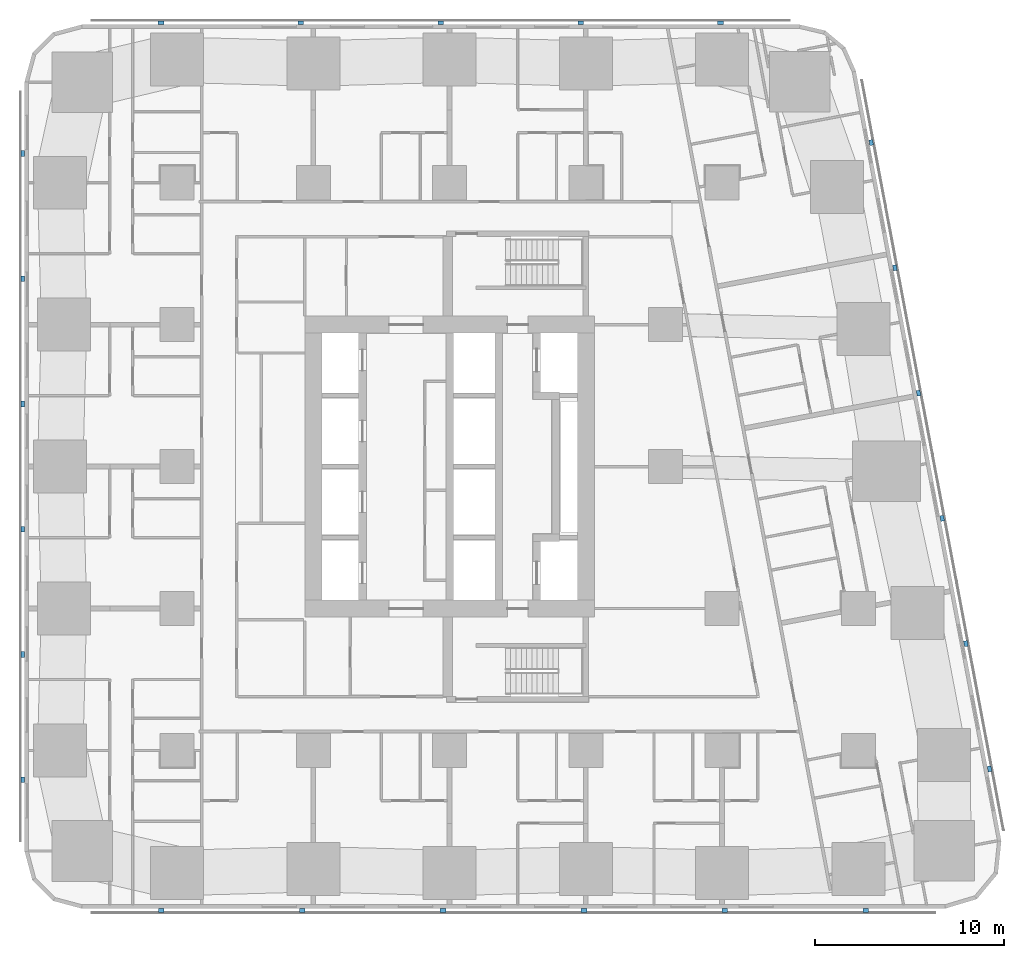
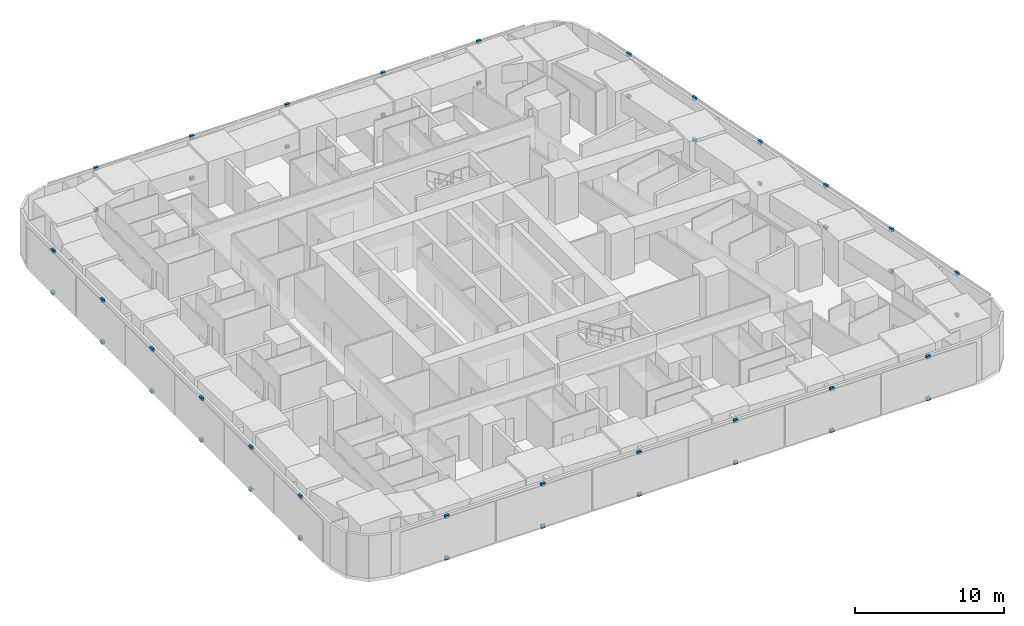
# One storey, part 11 of 15: 46 discrete accessories.
"""IFC4 building model written with IfcOpenShell, lengths in metres."""

from ifc_helpers import new_model, si_unit, direction, frame, origin, origin_2d, place, context, subcontext, project, spatial, rectangle, extrude, material, type_object, element, save


model = new_model("IFC4")

# Units and contexts
model_context = context("Model", 3, precision=1e-05, world=origin(), true_north=direction((0.0, 1.0)))
body_context = subcontext(model_context, "Body", "Model", "MODEL_VIEW")
ifc_project = project(units=[si_unit("LENGTHUNIT", "METRE"), si_unit("AREAUNIT", "SQUARE_METRE"), si_unit("VOLUMEUNIT", "CUBIC_METRE"), si_unit("PLANEANGLEUNIT", "RADIAN"), si_unit("MASSUNIT", "GRAM", prefix="KILO")], contexts=[model_context])

# Site, building, storey
site_placement = place(None, origin())
site = spatial("IfcSite", under=ifc_project, at=site_placement, CompositionType="ELEMENT")
building_placement = place(site_placement, origin())
building = spatial("IfcBuilding", under=site, at=building_placement, Name="Sheger Commons Tower", CompositionType="ELEMENT")
storey_placement = place(building_placement, frame((0.0, 0.0, 50.0)))
storey = spatial("IfcBuildingStorey", under=building, at=storey_placement, Name="L12", CompositionType="ELEMENT", Elevation=50.0)

# Discrete accessories
ifc_material = material(Name="Black painted steel bracket", Category="steel")
discrete_accessory_type = type_object("IfcDiscreteAccessoryType", Name="SCREEN BRACKET 300x200x250", PredefinedType="BRACKET", material=ifc_material)
for number, where, z_axis, x_axis, name in (
    (1, (6.37109375, -0.949951171875, -0.10009765625), (0.0, 0.0, 1.0), (1.0, 0.0, 0.0), "Solar screen foot bracket"),
    (2, (6.37109375, -0.949951171875, 3.300048828125), (0.0, 0.0, 1.0), (1.0, 0.0, 0.0), "Solar screen head bracket"),
    (3, (13.81396484375, -0.949951171875, -0.10009765625), (0.0, 0.0, 1.0), (1.0, 0.0, 0.0), "Solar screen foot bracket"),
    (4, (13.81396484375, -0.949951171875, 3.300048828125), (0.0, 0.0, 1.0), (1.0, 0.0, 0.0), "Solar screen head bracket"),
    (5, (21.257080078125, -0.949951171875, -0.10009765625), (0.0, 0.0, 1.0), (1.0, 0.0, 0.0), "Solar screen foot bracket"),
    (6, (21.257080078125, -0.949951171875, 3.300048828125), (0.0, 0.0, 1.0), (1.0, 0.0, 0.0), "Solar screen head bracket"),
    (7, (28.698974609375, -0.949951171875, -0.10009765625), (0.0, 0.0, 1.0), (1.0, 0.0, 0.0), "Solar screen foot bracket"),
    (8, (28.698974609375, -0.949951171875, 3.300048828125), (0.0, 0.0, 1.0), (1.0, 0.0, 0.0), "Solar screen head bracket"),
    (9, (36.14208984375, -0.949951171875, -0.10009765625), (0.0, 0.0, 1.0), (1.0, 0.0, 0.0), "Solar screen foot bracket"),
    (10, (36.14208984375, -0.949951171875, 3.300048828125), (0.0, 0.0, 1.0), (1.0, 0.0, 0.0), "Solar screen head bracket"),
    (11, (43.5849609375, -0.949951171875, -0.10009765625), (0.0, 0.0, 1.0), (1.0, 0.0, 0.0), "Solar screen foot bracket"),
    (12, (43.5849609375, -0.949951171875, 3.300048828125), (0.0, 0.0, 1.0), (1.0, 0.0, 0.0), "Solar screen head bracket"),
    (13, (50.134033203125, 6.527099609375, -0.10009765625), (0.0, 0.0, 1.0), (-0.185615165645, 0.982622516678, 0.0), "Solar screen foot bracket"),
    (14, (50.134033203125, 6.527099609375, 3.300048828125), (0.0, 0.0, 1.0), (-0.185615165645, 0.982622516678, 0.0), "Solar screen head bracket"),
    (15, (48.884033203125, 13.14599609375, -0.10009765625), (0.0, 0.0, 1.0), (-0.185615165645, 0.982622516678, 0.0), "Solar screen foot bracket"),
    (16, (48.884033203125, 13.14599609375, 3.300048828125), (0.0, 0.0, 1.0), (-0.185615165645, 0.982622516678, 0.0), "Solar screen head bracket"),
    (17, (47.633056640625, 19.76611328125, -0.10009765625), (0.0, 0.0, 1.0), (-0.185615165645, 0.982622516678, 0.0), "Solar screen foot bracket"),
    (18, (47.633056640625, 19.76611328125, 3.300048828125), (0.0, 0.0, 1.0), (-0.185615165645, 0.982622516678, 0.0), "Solar screen head bracket"),
    (19, (46.383056640625, 26.385009765625, -0.10009765625), (0.0, 0.0, 1.0), (-0.185615165645, 0.982622516678, 0.0), "Solar screen foot bracket"),
    (20, (46.383056640625, 26.385009765625, 3.300048828125), (0.0, 0.0, 1.0), (-0.185615165645, 0.982622516678, 0.0), "Solar screen head bracket"),
    (21, (45.133056640625, 33.0048828125, -0.10009765625), (0.0, 0.0, 1.0), (-0.185615165645, 0.982622516678, 0.0), "Solar screen foot bracket"),
    (22, (45.133056640625, 33.0048828125, 3.300048828125), (0.0, 0.0, 1.0), (-0.185615165645, 0.982622516678, 0.0), "Solar screen head bracket"),
    (23, (43.882080078125, 39.6240234375, -0.10009765625), (0.0, 0.0, 1.0), (-0.185615165645, 0.982622516678, 0.0), "Solar screen foot bracket"),
    (24, (43.882080078125, 39.6240234375, 3.300048828125), (0.0, 0.0, 1.0), (-0.185615165645, 0.982622516678, 0.0), "Solar screen head bracket"),
    (25, (35.9208984375, 45.949951171875, -0.10009765625), (0.0, 0.0, 1.0), (-1.0, 0.0, 0.0), "Solar screen foot bracket"),
    (26, (35.9208984375, 45.949951171875, 3.300048828125), (0.0, 0.0, 1.0), (-1.0, 0.0, 0.0), "Solar screen head bracket"),
    (27, (28.528076171875, 45.949951171875, -0.10009765625), (0.0, 0.0, 1.0), (-1.0, 0.0, 0.0), "Solar screen foot bracket"),
    (28, (28.528076171875, 45.949951171875, 3.300048828125), (0.0, 0.0, 1.0), (-1.0, 0.0, 0.0), "Solar screen head bracket"),
    (29, (21.134033203125, 45.949951171875, -0.10009765625), (0.0, 0.0, 1.0), (-1.0, 0.0, 0.0), "Solar screen foot bracket"),
    (30, (21.134033203125, 45.949951171875, 3.300048828125), (0.0, 0.0, 1.0), (-1.0, 0.0, 0.0), "Solar screen head bracket"),
    (31, (13.739990234375, 45.949951171875, -0.10009765625), (0.0, 0.0, 1.0), (-1.0, 0.0, 0.0), "Solar screen foot bracket"),
    (32, (13.739990234375, 45.949951171875, 3.300048828125), (0.0, 0.0, 1.0), (-1.0, 0.0, 0.0), "Solar screen head bracket"),
    (33, (6.346923828125, 45.949951171875, -0.10009765625), (0.0, 0.0, 1.0), (-1.0, 0.0, 0.0), "Solar screen foot bracket"),
    (34, (6.346923828125, 45.949951171875, 3.300048828125), (0.0, 0.0, 1.0), (-1.0, 0.0, 0.0), "Solar screen head bracket"),
    (35, (-0.949951171875, 39.0419921875, -0.10009765625), (0.0, 0.0, 1.0), (0.0, -1.0, 0.0), "Solar screen foot bracket"),
    (36, (-0.949951171875, 39.0419921875, 3.300048828125), (0.0, 0.0, 1.0), (0.0, -1.0, 0.0), "Solar screen head bracket"),
    (37, (-0.949951171875, 32.425048828125, -0.10009765625), (0.0, 0.0, 1.0), (0.0, -1.0, 0.0), "Solar screen foot bracket"),
    (38, (-0.949951171875, 32.425048828125, 3.300048828125), (0.0, 0.0, 1.0), (0.0, -1.0, 0.0), "Solar screen head bracket"),
    (39, (-0.949951171875, 25.80810546875, -0.10009765625), (0.0, 0.0, 1.0), (0.0, -1.0, 0.0), "Solar screen foot bracket"),
    (40, (-0.949951171875, 25.80810546875, 3.300048828125), (0.0, 0.0, 1.0), (0.0, -1.0, 0.0), "Solar screen head bracket"),
    (41, (-0.949951171875, 19.19189453125, -0.10009765625), (0.0, 0.0, 1.0), (0.0, -1.0, 0.0), "Solar screen foot bracket"),
    (42, (-0.949951171875, 19.19189453125, 3.300048828125), (0.0, 0.0, 1.0), (0.0, -1.0, 0.0), "Solar screen head bracket"),
    (43, (-0.949951171875, 12.574951171875, -0.10009765625), (0.0, 0.0, 1.0), (0.0, -1.0, 0.0), "Solar screen foot bracket"),
    (44, (-0.949951171875, 12.574951171875, 3.300048828125), (0.0, 0.0, 1.0), (0.0, -1.0, 0.0), "Solar screen head bracket"),
    (45, (-0.949951171875, 5.9580078125, -0.10009765625), (0.0, 0.0, 1.0), (0.0, -1.0, 0.0), "Solar screen foot bracket"),
    (46, (-0.949951171875, 5.9580078125, 3.300048828125), (0.0, 0.0, 1.0), (0.0, -1.0, 0.0), "Solar screen head bracket"),
):
    element("IfcDiscreteAccessory", number, at=place(storey_placement, frame(where, z_axis=z_axis, x_axis=x_axis)), inside=storey, type_object=discrete_accessory_type, Name=name, PredefinedType="BRACKET", context=body_context, shape_type="SweptSolid", body=[
        extrude(rectangle(XDim=0.300048828125, YDim=0.199951171875, at=origin_2d()), origin(), (0.0, 0.0, 1.0), 0.25),
    ])

save(model, "model.ifc")
